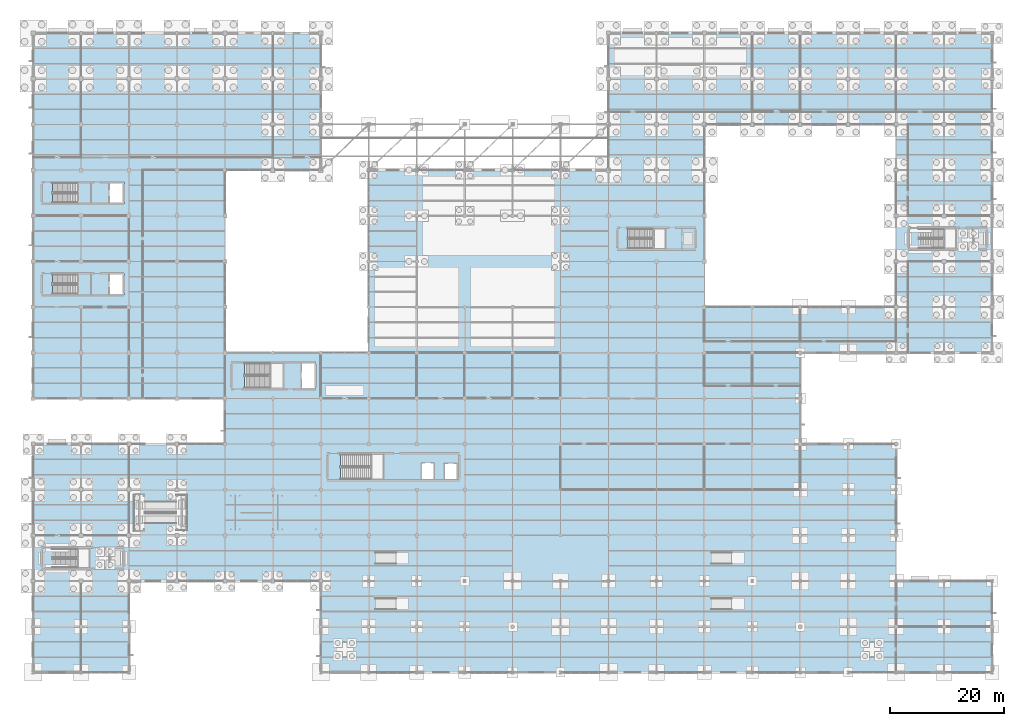
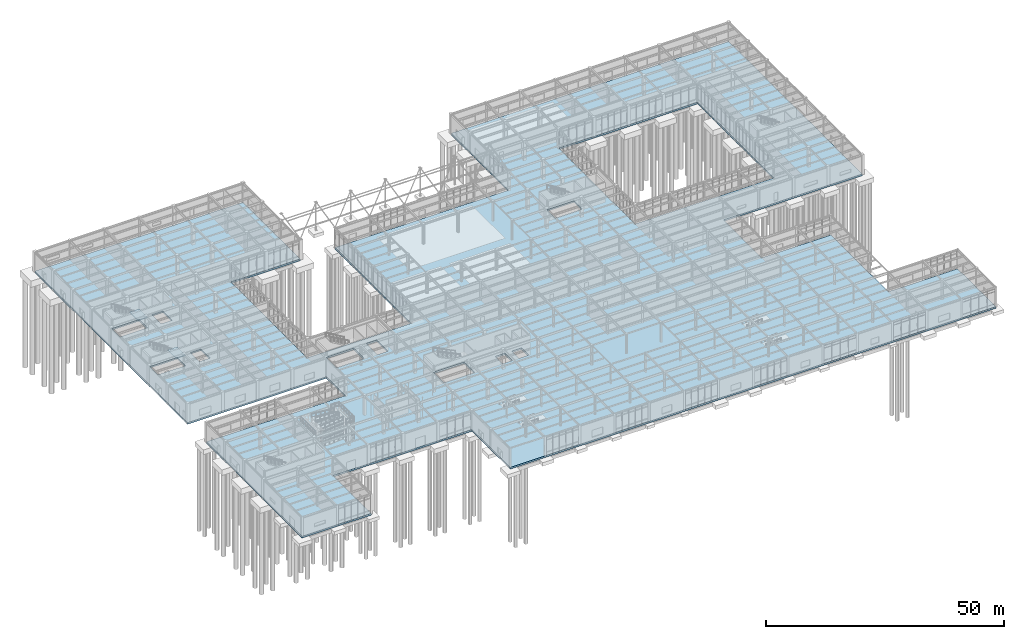
# One storey, part 67 of 138: 3 slabs, 2 elements without a shape of their own.
"""IFC4 building model written with IfcOpenShell, lengths in metres."""

from ifc_helpers import new_model, si_unit, direction, frame, origin, place, context, subcontext, project, spatial, polyline, outline, extrude, material, layer, layer_set, type_object, element, aggregate, save


model = new_model("IFC4")

# Units and contexts
model_context = context("Model", 3, precision=1e-05, world=origin(), true_north=direction((0.0, 1.0)))
body_context = subcontext(model_context, "Body", "Model", "MODEL_VIEW")
ifc_project = project(units=[si_unit("LENGTHUNIT", "METRE"), si_unit("AREAUNIT", "SQUARE_METRE"), si_unit("VOLUMEUNIT", "CUBIC_METRE"), si_unit("PLANEANGLEUNIT", "RADIAN"), si_unit("MASSUNIT", "GRAM", prefix="KILO")], contexts=[model_context])

# Site, building, storey
site_placement = place(None, origin())
site = spatial("IfcSite", under=ifc_project, at=site_placement, CompositionType="ELEMENT")
building_placement = place(site_placement, origin())
building = spatial("IfcBuilding", under=site, at=building_placement, Name="Kranzveld Transit Interchange", CompositionType="ELEMENT")
storey_placement = place(building_placement, origin())
storey = spatial("IfcBuildingStorey", under=building, at=storey_placement, Name="L00", CompositionType="ELEMENT", Elevation=0.0)

# Slab
ifc_material_1 = material(Name="Concrete C40/50", Category="concrete")
ifc_layer_1 = layer(ifc_material_1, 0.419921875)
ifc_layer_set_1 = layer_set([ifc_layer_1], Name="Concrete C40/50")
slab_type_1 = type_object("IfcSlabType", Name="Ground & Bus Deck Slab 420 C40/50", PredefinedType="FLOOR", material=ifc_layer_set_1)
slab_1_placement = place(storey_placement, frame((0.0, 0.0, -0.419921875)))
element("IfcSlab", 1, at=slab_1_placement, inside=storey, type_object=slab_type_1, Name="L00 Suspended Floor Slab 1", PredefinedType="FLOOR", context=body_context, shape_type="SweptSolid", body=[
    extrude(outline(polyline([(0.0, 40.0), (33.60009765625, 40.0), (33.60009765625, 48.0), (0.0, 48.0), (0.0, 112.0), (33.60009765625, 112.0), (50.39990234375, 112.0), (50.39990234375, 88.0), (33.60009765625, 88.0), (33.60009765625, 56.0), (58.800048828125, 56.0), (58.800048828125, 88.0), (100.800048828125, 88.0), (100.800048828125, 112.0), (117.60009765625, 112.0), (168.0, 112.0), (168.0, 96.0), (168.0, 56.0), (151.199951171875, 56.0), (134.39990234375, 56.0), (134.39990234375, 40.0), (151.199951171875, 40.0), (151.199951171875, 16.0), (168.0, 16.0), (168.0, 0.0), (151.199951171875, 0.0), (50.39990234375, 0.0), (50.39990234375, 16.0), (16.800048828125, 16.0), (16.800048828125, 0.0), (0.0, 0.0), (0.0, 16.0), (0.0, 40.0)]), holes=[polyline([(151.199951171875, 64.0), (151.199951171875, 96.0), (117.60009765625, 96.0), (117.60009765625, 88.0), (117.60009765625, 64.0), (151.199951171875, 64.0)]), polyline([(72.0, 36.6650390625), (72.0, 33.639892578125), (74.300048828125, 33.639892578125), (74.300048828125, 36.6650390625), (72.0, 36.6650390625)]), polyline([(68.0, 36.715087890625), (68.0, 33.639892578125), (70.300048828125, 33.639892578125), (70.300048828125, 36.715087890625), (68.0, 36.715087890625)]), polyline([(61.300048828125, 38.179931640625), (53.867919921875, 38.179931640625), (53.867919921875, 33.820068359375), (61.300048828125, 33.820068359375), (61.300048828125, 38.179931640625)]), polyline([(43.800048828125, 49.820068359375), (43.800048828125, 54.179931640625), (37.068115234375, 54.179931640625), (37.068115234375, 49.820068359375), (43.800048828125, 49.820068359375)]), polyline([(49.5, 54.360107421875), (46.949951171875, 54.360107421875), (46.949951171875, 49.639892578125), (49.5, 49.639892578125), (49.5, 54.360107421875)]), polyline([(10.050048828125, 69.72998046875), (3.41796875, 69.72998046875), (3.41796875, 66.27001953125), (10.050048828125, 66.27001953125), (10.050048828125, 69.72998046875)]), polyline([(13.300048828125, 69.909912109375), (13.300048828125, 66.090087890625), (15.89990234375, 66.090087890625), (15.89990234375, 69.909912109375), (13.300048828125, 69.909912109375)]), polyline([(110.75, 77.72998046875), (104.218017578125, 77.72998046875), (104.218017578125, 74.27001953125), (110.75, 74.27001953125), (110.75, 77.72998046875)]), polyline([(10.050048828125, 82.27001953125), (10.050048828125, 85.72998046875), (3.41796875, 85.72998046875), (3.41796875, 82.27001953125), (10.050048828125, 82.27001953125)]), polyline([(15.89990234375, 85.909912109375), (13.300048828125, 85.909912109375), (13.300048828125, 82.090087890625), (15.89990234375, 82.090087890625), (15.89990234375, 85.909912109375)])]), origin(), (0.0, 0.0, 1.0), 0.419921875),
])

# Stair, slab
ifc_material_2 = material(Name="Concrete C35/45", Category="concrete")
stair_type = type_object("IfcStairType", Name="Dogleg Stair 1650W H5440 C35/45", PredefinedType="HALF_TURN_STAIR", material=ifc_material_2)
stair_1_placement = place(storey_placement, origin())
stair_1 = element("IfcStair", 2, at=stair_1_placement, inside=storey, type_object=stair_type, Name="L00 Operations Core C1", PredefinedType="HALF_TURN_STAIR")
ifc_material_3 = material(Name="Concrete C35/45", Category="concrete")
ifc_layer_2 = layer(ifc_material_3, 0.199951171875)
ifc_layer_set_2 = layer_set([ifc_layer_2], Name="Concrete C35/45")
slab_type_2 = type_object("IfcSlabType", Name="Stair & Ramp Landing 200 C35/45", PredefinedType="LANDING", material=ifc_layer_set_2)
slab_2_placement = place(storey_placement, frame((0.0, 0.0, 2.52001953125)))
slab_2 = element("IfcSlab", 3, at=slab_2_placement, type_object=slab_type_2, Name="ST-C1 landing 1", PredefinedType="LANDING", context=body_context, shape_type="SweptSolid", body=[
    extrude(outline(polyline([(7.75, 66.235107421875), (10.050048828125, 66.235107421875), (10.050048828125, 69.764892578125), (7.75, 69.764892578125), (7.75, 66.235107421875)])), origin(), (0.0, 0.0, 1.0), 0.199951171875),
])
aggregate(stair_1, [slab_2])

stair_2_placement = place(storey_placement, origin())
stair_2 = element("IfcStair", 4, at=stair_2_placement, inside=storey, type_object=stair_type, Name="L00 Operations Core C2", PredefinedType="HALF_TURN_STAIR")
slab_3_placement = place(storey_placement, frame((0.0, 0.0, 2.52001953125)))
slab_3 = element("IfcSlab", 5, at=slab_3_placement, type_object=slab_type_2, Name="ST-C2 landing 1", PredefinedType="LANDING", context=body_context, shape_type="SweptSolid", body=[
    extrude(outline(polyline([(7.75, 82.235107421875), (10.050048828125, 82.235107421875), (10.050048828125, 85.764892578125), (7.75, 85.764892578125), (7.75, 82.235107421875)])), origin(), (0.0, 0.0, 1.0), 0.199951171875),
])
aggregate(stair_2, [slab_3])

save(model, "model.ifc")
